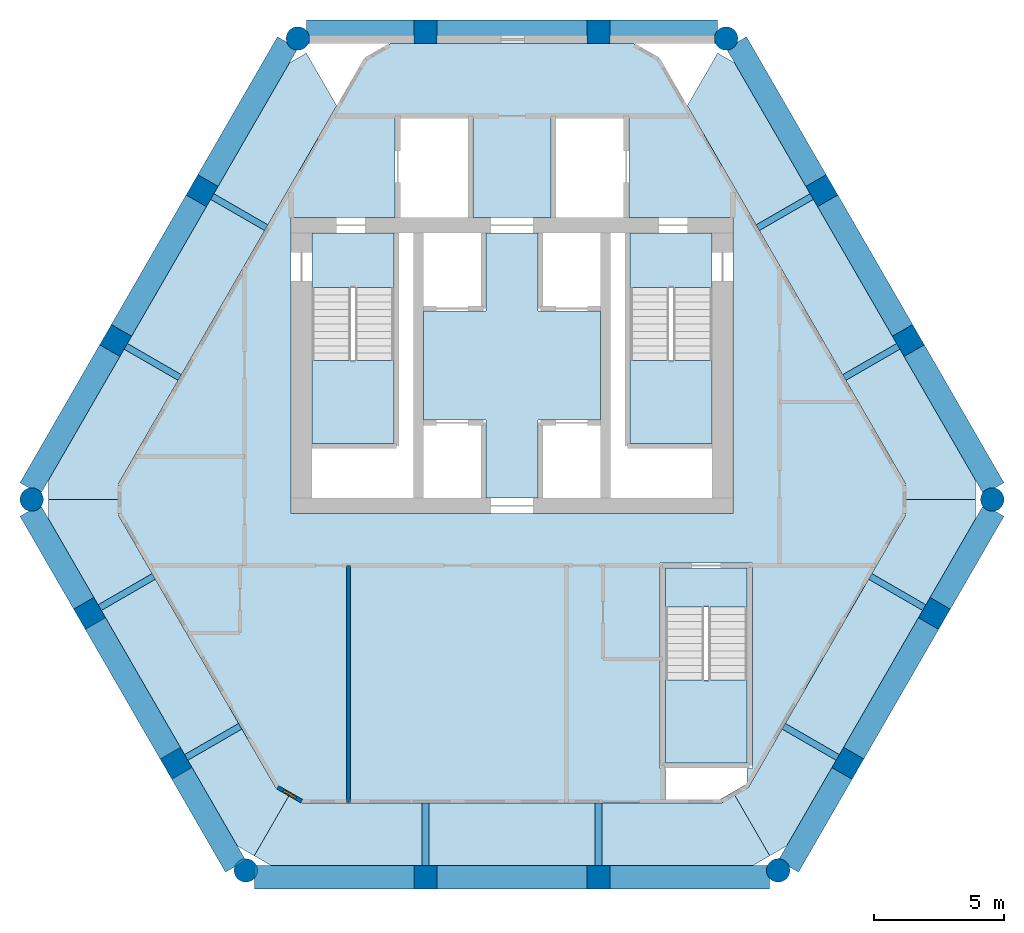
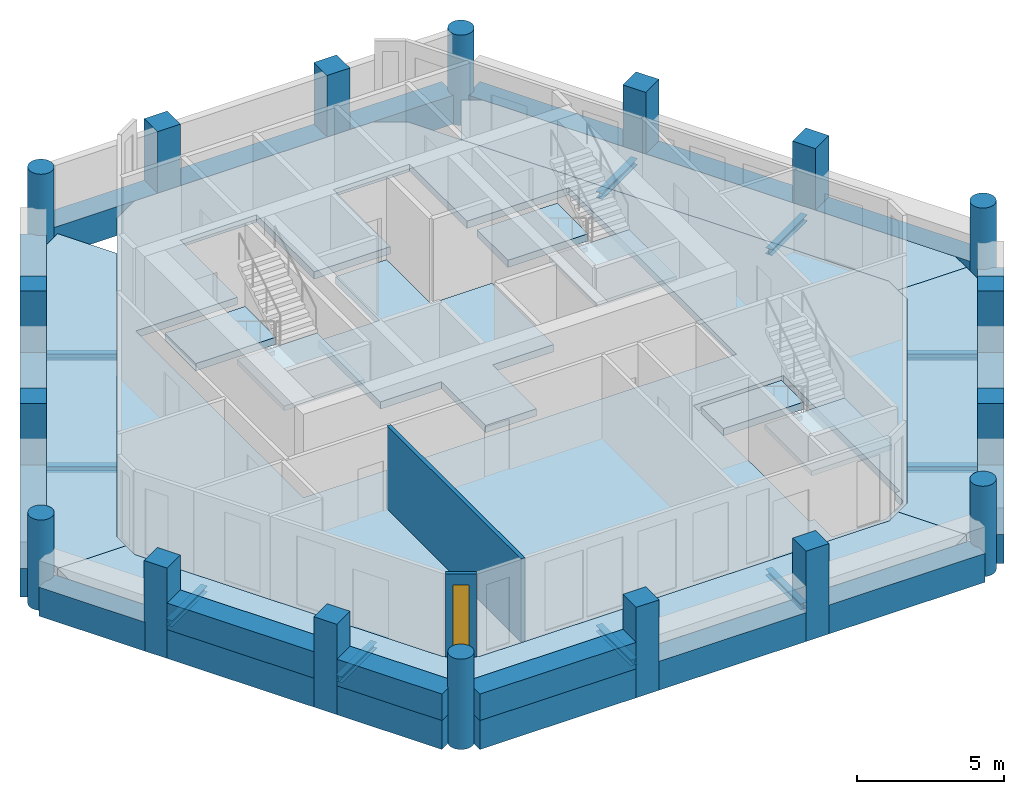
# One storey, part 1 of 6: 28 beams, 18 columns, 13 slabs, 5 walls, 1 window, 1 opening, 3 elements without a shape of their own.
"""IFC4 building model written with IfcOpenShell, lengths in metres."""

import ifcopenshell
import ifcopenshell.guid

model = None  # the IFC model being written
_history = None  # IfcOwnerHistory: only IFC2X3 demands one
_inside = {}  # id of a spatial element -> (the spatial element, [elements in it])
_under = {}  # id of a project, library or spatial element -> (it, [spatial elements below it])
_declared = {}  # id of a project -> (the project, [libraries it declares])
_typed = {}  # id of a type object -> (the type object, [elements of that type])
_made_of = {}  # id of a material, layer set ... -> (it, [elements and type objects made of it])


def new_model(schema):
    """Start an empty IFC model of exactly this schema.

    Asked for "IFC4X3", IfcOpenShell would pick the latest addendum, in which some entities
    have other attributes; the version numbers below select the first issue.
    IFC2X3 requires an IfcOwnerHistory on every rooted entity: one is made here for all.
    """
    global model, _history
    if schema == "IFC4X3":
        model = ifcopenshell.file(schema_version=(4, 3, 0, 0))
    else:
        model = ifcopenshell.file(schema=schema)
    _inside.clear()
    _under.clear()
    _declared.clear()
    _typed.clear()
    _made_of.clear()
    _history = None
    if model.schema == "IFC2X3":
        org = make("IfcOrganization", Name="unknown")
        user = make(
            "IfcPersonAndOrganization",
            ThePerson=make("IfcPerson", FamilyName="unknown"),
            TheOrganization=org,
        )
        app = make(
            "IfcApplication",
            ApplicationDeveloper=org,
            Version="unknown",
            ApplicationFullName="unknown",
            ApplicationIdentifier="unknown",
        )
        _history = make(
            "IfcOwnerHistory",
            OwningUser=user,
            OwningApplication=app,
            ChangeAction="ADDED",
            CreationDate=0,
        )
    return model


def make(cls, **values):
    """One entity of the class cls with the attributes given. An attribute that is None is left unset."""
    return model.create_entity(
        cls, **{name: value for name, value in values.items() if value is not None}
    )


def rooted(cls, **values):
    """An entity with a GlobalId (a new one), such as an element, a storey or a relation."""
    return make(cls, GlobalId=ifcopenshell.guid.new(), OwnerHistory=_history, **values)


def si_unit(unit_type, name, prefix=None):
    """IfcSIUnit, for example si_unit("LENGTHUNIT", "METRE", prefix="MILLI")."""
    return make("IfcSIUnit", UnitType=unit_type, Prefix=prefix, Name=name)


def assignment(units):
    """IfcUnitAssignment: the units of a project."""
    return None if units is None else make("IfcUnitAssignment", Units=units)


def point(xyz):
    """IfcCartesianPoint."""
    return None if xyz is None else make("IfcCartesianPoint", Coordinates=xyz)


def direction(xyz):
    """IfcDirection."""
    return None if xyz is None else make("IfcDirection", DirectionRatios=xyz)


def frame(location, z_axis=None, x_axis=None):
    """IfcAxis2Placement3D, a coordinate frame: its origin and axes. An axis left out is left unset."""
    return make(
        "IfcAxis2Placement3D",
        Location=point(location),
        Axis=direction(z_axis),
        RefDirection=direction(x_axis),
    )


def frame_2d(location, x_axis=None):
    """IfcAxis2Placement2D, a coordinate frame in the plane: its origin and x axis."""
    return make(
        "IfcAxis2Placement2D", Location=point(location), RefDirection=direction(x_axis)
    )


def origin():
    """The frame at (0, 0, 0) with its axes left unset."""
    return frame((0.0, 0.0, 0.0))


def origin_2d():
    """The frame at (0, 0) in the plane with its x axis left unset."""
    return frame_2d((0.0, 0.0))


def place(relative_to, where):
    """IfcLocalPlacement: puts the frame where relative to a parent placement (None: the world)."""
    return make(
        "IfcLocalPlacement", PlacementRelTo=relative_to, RelativePlacement=where
    )


def context(
    kind, dimensions, precision=None, world=None, true_north=None, identifier=None
):
    """IfcGeometricRepresentationContext, for example the 3D "Model" context."""
    return make(
        "IfcGeometricRepresentationContext",
        ContextIdentifier=identifier,
        ContextType=kind,
        CoordinateSpaceDimension=dimensions,
        Precision=precision,
        WorldCoordinateSystem=world,
        TrueNorth=true_north,
    )


def subcontext(parent, identifier, kind, view, scale=None):
    """IfcGeometricRepresentationSubContext, for example "Body" below "Model"."""
    return make(
        "IfcGeometricRepresentationSubContext",
        ContextIdentifier=identifier,
        ContextType=kind,
        ParentContext=parent,
        TargetScale=scale,
        TargetView=view,
    )


def project(units=None, contexts=None):
    """IfcProject with its units and contexts."""
    return rooted(
        "IfcProject",
        Name="project",
        RepresentationContexts=contexts,
        UnitsInContext=assignment(units),
    )


def spatial(cls, under=None, at=None, **own):
    """A site, building, storey or space (cls), placed at a placement, below another one or the project."""
    s = rooted(cls, ObjectPlacement=at, **own)
    if under is not None:
        _under.setdefault(under.id(), (under, []))[1].append(s)
    return s


def polyline(points):
    """IfcPolyline through the points."""
    return make("IfcPolyline", Points=[point(p) for p in points])


def profile(cls, at=None, kind="AREA", **sizes):
    """A parametric profile (cls). Its sizes go by their IFC names, for example OverallWidth=200.0."""
    return make(cls, ProfileType=kind, Position=at, **sizes)


def rectangle(**sizes):
    """IfcRectangleProfileDef."""
    return profile("IfcRectangleProfileDef", **sizes)


def circle(**sizes):
    """IfcCircleProfileDef."""
    return profile("IfcCircleProfileDef", **sizes)


def i_section(**sizes):
    """IfcIShapeProfileDef."""
    return profile("IfcIShapeProfileDef", **sizes)


def outline(outer, holes=None, kind="AREA"):
    """IfcArbitraryClosedProfileDef: a profile drawn as a closed curve; with holes, ...WithVoids."""
    if holes is None:
        return make("IfcArbitraryClosedProfileDef", ProfileType=kind, OuterCurve=outer)
    return make(
        "IfcArbitraryProfileDefWithVoids",
        ProfileType=kind,
        OuterCurve=outer,
        InnerCurves=holes,
    )


def extrude(swept, where, along, depth):
    """IfcExtrudedAreaSolid: the profile swept, set in the frame where, extruded along a direction by depth."""
    return make(
        "IfcExtrudedAreaSolid",
        SweptArea=swept,
        Position=where,
        ExtrudedDirection=direction(along),
        Depth=depth,
    )


def shape(context_of_items, identifier, shape_type, items):
    """IfcShapeRepresentation: the items that make up one representation, for example the "Body"."""
    return make(
        "IfcShapeRepresentation",
        ContextOfItems=context_of_items,
        RepresentationIdentifier=identifier,
        RepresentationType=shape_type,
        Items=items,
    )


def material(Name=None, Category=None):
    """IfcMaterial."""
    return make("IfcMaterial", Name=Name, Category=Category)


def layer(
    of_material, thickness, ventilated=None, Name=None, Category=None, Priority=None
):
    """IfcMaterialLayer: one layer of a wall or slab, of a material (None: an air gap)."""
    return make(
        "IfcMaterialLayer",
        Material=of_material,
        LayerThickness=thickness,
        IsVentilated=ventilated,
        Name=Name,
        Category=Category,
        Priority=Priority,
    )


def layer_set(layers, Name=None):
    """IfcMaterialLayerSet."""
    return make("IfcMaterialLayerSet", MaterialLayers=layers, LayerSetName=Name)


def material_profile(
    of_material, cross_section, Name=None, Category=None, Priority=None
):
    """IfcMaterialProfile: a cross section and its material."""
    return make(
        "IfcMaterialProfile",
        Name=Name,
        Material=of_material,
        Profile=cross_section,
        Priority=Priority,
        Category=Category,
    )


def profile_set(profiles, Name=None, composite=None):
    """IfcMaterialProfileSet."""
    return make(
        "IfcMaterialProfileSet",
        Name=Name,
        MaterialProfiles=profiles,
        CompositeProfile=composite,
    )


def made_of(thing, what):
    """Note that an element or type object is made of a material, layer set ...; save() writes the relation."""
    if what is not None:
        _made_of.setdefault(what.id(), (what, []))[1].append(thing)
    return thing


def type_object(cls, material=None, **own):
    """A type object (cls), such as IfcWallType, which elements share."""
    return made_of(rooted(cls, **own), material)


def element(
    cls,
    number,
    at=None,
    inside=None,
    cuts=None,
    type_object=None,
    material=None,
    context=None,
    identifier="Body",
    shape_type=None,
    held_by="IfcProductDefinitionShape",
    body=None,
    shapes=None,
    **own,
):
    """One element of the class cls, such as IfcWall. Its Tag is "e" and its number.

    at: its placement. inside: the storey or other place that contains it. cuts: it is an
    opening in that element (IfcRelVoidsElement). A single representation is given by context,
    identifier, shape_type and body (its items); several are given by shapes. held_by: the class
    of the entity that holds the representations. save() writes the other relations.
    """
    e = rooted(cls, Tag="e%d" % number, ObjectPlacement=at, **own)
    if body is not None:
        shapes = [shape(context, identifier, shape_type, body)]
    if shapes is not None:
        e.Representation = make(held_by, Representations=shapes)
    if inside is not None:
        _inside.setdefault(inside.id(), (inside, []))[1].append(e)
    if cuts is not None:
        rooted(
            "IfcRelVoidsElement", RelatingBuildingElement=cuts, RelatedOpeningElement=e
        )
    if type_object is not None:
        _typed.setdefault(type_object.id(), (type_object, []))[1].append(e)
    return made_of(e, material)


def fill(opening, filler):
    """IfcRelFillsElement: the door or window that sits in an opening."""
    return rooted(
        "IfcRelFillsElement",
        RelatingOpeningElement=opening,
        RelatedBuildingElement=filler,
    )


def aggregate(whole, parts):
    """IfcRelAggregates: a whole, such as a stair, and the parts it consists of."""
    return rooted("IfcRelAggregates", RelatingObject=whole, RelatedObjects=parts)


def save(model, path):
    """Write the relations noted so far, then the file.

    IfcRelAggregates (storeys below a building ...), IfcRelContainedInSpatialStructure (elements
    in a storey), IfcRelDefinesByType, IfcRelAssociatesMaterial and IfcRelDeclares: one each for
    every whole, place, type object, material and project.
    """
    for whole, parts in _under.values():
        aggregate(whole, parts)
    for where, things in _inside.values():
        rooted(
            "IfcRelContainedInSpatialStructure",
            RelatedElements=things,
            RelatingStructure=where,
        )
    for kind, things in _typed.values():
        rooted("IfcRelDefinesByType", RelatedObjects=things, RelatingType=kind)
    for what, things in _made_of.values():
        rooted("IfcRelAssociatesMaterial", RelatedObjects=things, RelatingMaterial=what)
    for by, libraries in _declared.values():
        rooted("IfcRelDeclares", RelatingContext=by, RelatedDefinitions=libraries)
    model.write(path)


model = new_model("IFC4")

# Units and contexts
model_context = context("Model", 3, precision=1e-05, world=origin(), true_north=direction((0.0, 1.0)))
body_context = subcontext(model_context, "Body", "Model", "MODEL_VIEW")
ifc_project = project(units=[si_unit("LENGTHUNIT", "METRE"), si_unit("AREAUNIT", "SQUARE_METRE"), si_unit("VOLUMEUNIT", "CUBIC_METRE"), si_unit("PLANEANGLEUNIT", "RADIAN"), si_unit("MASSUNIT", "GRAM", prefix="KILO")], contexts=[model_context])

# Site, building, storey
site_placement = place(None, origin())
site = spatial("IfcSite", under=ifc_project, at=site_placement, CompositionType="ELEMENT")
building_placement = place(site_placement, origin())
building = spatial("IfcBuilding", under=site, at=building_placement, Name="Ostrander Bayou Hotel Tower", CompositionType="ELEMENT")
storey_placement = place(building_placement, frame((0.0, 0.0, 271.25)))
storey = spatial("IfcBuildingStorey", under=building, at=storey_placement, Name="L67", CompositionType="ELEMENT", Elevation=271.25)

# Columns
ifc_material_1 = material(Name="Concrete f'c 60 MPa", Category="concrete")
ifc_material_profile_1 = material_profile(ifc_material_1, circle(Radius=0.449951171875, at=origin_2d()))
ifc_profile_set_1 = profile_set([ifc_material_profile_1], Name="Concrete f'c 60 MPa")
column_type_1 = type_object("IfcColumnType", Name="C7 round column 900 mm f'c 60 MPa", PredefinedType="COLUMN", material=ifc_profile_set_1)
for number, where, z_axis, x_axis, name in (
    (1, (-8.2421875, 16.588623046875, -1.199951171875), (0.0, 0.0, 1.0), (1.0, 0.0, 0.0), "C7 L67 K0"),
    (2, (-18.4873046875, -1.156494140625, -1.199951171875), (0.0, 0.0, 1.0), (1.0, 0.0, 0.0), "C7 L67 K1"),
    (3, (-10.2451171875, -15.432373046875, -1.199951171875), (0.0, 0.0, 1.0), (1.0, 0.0, 0.0), "C7 L67 K2"),
    (4, (10.2451171875, -15.432373046875, -1.199951171875), (0.0, 0.0, 1.0), (1.0, 0.0, 0.0), "C7 L67 K3"),
    (5, (18.4873046875, -1.156494140625, -1.199951171875), (0.0, 0.0, 1.0), (1.0, 0.0, 0.0), "C7 L67 K4"),
    (6, (8.2421875, 16.588623046875, -1.199951171875), (0.0, 0.0, 1.0), (1.0, 0.0, 0.0), "C7 L67 K5"),
):
    element("IfcColumn", number, at=place(storey_placement, frame(where, z_axis=z_axis, x_axis=x_axis)), inside=storey, type_object=column_type_1, Name=name, PredefinedType="COLUMN", context=body_context, shape_type="SweptSolid", body=[
        extrude(circle(Radius=0.449951171875, at=origin_2d()), origin(), (0.0, 0.0, 1.0), 3.75),
    ])
ifc_material_2 = material(Name="Concrete f'c 60 MPa", Category="concrete")
ifc_material_profile_2 = material_profile(ifc_material_2, rectangle(XDim=0.89990234375, YDim=0.89990234375, at=origin_2d()))
ifc_profile_set_2 = profile_set([ifc_material_profile_2], Name="Concrete f'c 60 MPa")
column_type_2 = type_object("IfcColumnType", Name="C8 square column 900 x 900 mm f'c 60 MPa", PredefinedType="COLUMN", material=ifc_profile_set_2)
for number, where, z_axis, x_axis, name in (
    (7, (3.329345703125, 16.85009765625, -1.199951171875), (0.0, 0.0, 1.0), (1.0, 0.0, 0.0), "C8 L67 N1"),
    (8, (-3.329345703125, 16.85009765625, -1.199951171875), (0.0, 0.0, 1.0), (1.0, 0.0, 0.0), "C8 L67 N2"),
    (9, (-11.92626953125, 10.72998046875, -1.199951171875), (0.0, 0.0, 1.0), (0.5, 0.866025403784, 0.0), "C8 L67 NW1"),
    (10, (-15.255615234375, 4.96337890625, -1.199951171875), (0.0, 0.0, 1.0), (0.5, 0.866025403784, 0.0), "C8 L67 NW2"),
    (11, (-16.257080078125, -5.541748046875, -1.199951171875), (0.0, 0.0, 1.0), (-0.5, 0.866025403784, 0.0), "C8 L67 SW1"),
    (12, (-12.927734375, -11.308349609375, -1.199951171875), (0.0, 0.0, 1.0), (-0.5, 0.866025403784, 0.0), "C8 L67 SW2"),
    (13, (-3.329345703125, -15.693603515625, -1.199951171875), (0.0, 0.0, 1.0), (-1.0, 0.0, 0.0), "C8 L67 S1"),
    (14, (3.329345703125, -15.693603515625, -1.199951171875), (0.0, 0.0, 1.0), (-1.0, 0.0, 0.0), "C8 L67 S2"),
    (15, (12.927734375, -11.308349609375, -1.199951171875), (0.0, 0.0, 1.0), (-0.5, -0.866025403784, 0.0), "C8 L67 SE1"),
    (16, (16.257080078125, -5.541748046875, -1.199951171875), (0.0, 0.0, 1.0), (-0.5, -0.866025403784, 0.0), "C8 L67 SE2"),
    (17, (15.255615234375, 4.96337890625, -1.199951171875), (0.0, 0.0, 1.0), (0.5, -0.866025403784, 0.0), "C8 L67 NE1"),
    (18, (11.92626953125, 10.72998046875, -1.199951171875), (0.0, 0.0, 1.0), (0.5, -0.866025403784, 0.0), "C8 L67 NE2"),
):
    element("IfcColumn", number, at=place(storey_placement, frame(where, z_axis=z_axis, x_axis=x_axis)), inside=storey, type_object=column_type_2, Name=name, PredefinedType="COLUMN", context=body_context, shape_type="SweptSolid", body=[
        extrude(rectangle(XDim=0.89990234375, YDim=0.89990234375, at=origin_2d()), origin(), (0.0, 0.0, 1.0), 3.75),
    ])

# Beams
ifc_material_3 = material(Name="Steel ASTM A992", Category="steel")
ifc_material_profile_3 = material_profile(ifc_material_3, i_section(OverallWidth=0.25390625, OverallDepth=0.25341796875, WebThickness=0.008544921875, FlangeThickness=0.01416015625, at=origin_2d()))
ifc_profile_set_3 = profile_set([ifc_material_profile_3], Name="Steel ASTM A992")
beam_type_1 = type_object("IfcBeamType", Name="LB2 loggia bracket W10x49", PredefinedType="BEAM", material=ifc_profile_set_3)
beam_1_placement = place(storey_placement, frame((-11.53662109375, 10.505126953125, -0.4267578125), z_axis=(0.866050077142, -0.499957262057, 0.0), x_axis=(0.499957262057, 0.866050077142, 0.0)))
element("IfcBeam", 19, at=beam_1_placement, inside=storey, type_object=beam_type_1, Name="LB2 L67 NW1", PredefinedType="BEAM", context=body_context, shape_type="SweptSolid", body=[
    extrude(i_section(OverallWidth=0.25390625, OverallDepth=0.25341796875, WebThickness=0.008544921875, FlangeThickness=0.01416015625, at=origin_2d()), origin(), (0.0, 0.0, 1.0), 2.400146484375),
])
for number, where, z_axis, x_axis, name in (
    (20, (-14.865966796875, 4.73828125, -0.4267578125), (0.866024647952, -0.500001309137, 0.0), (0.500001309137, 0.866024647952, 0.0), "LB2 L67 NW2"),
    (21, (-15.867431640625, -5.316650390625, -0.4267578125), (0.866024647952, 0.500001309137, 0.0), (-0.500001309137, 0.866024647952, 0.0), "LB2 L67 SW1"),
    (22, (-12.5380859375, -11.083251953125, -0.4267578125), (0.866024647952, 0.500001309137, 0.0), (-0.500001309137, 0.866024647952, 0.0), "LB2 L67 SW2"),
    (23, (-3.329345703125, -15.243408203125, -0.4267578125), (0.0, 1.0, 0.0), (-1.0, 0.0, 0.0), "LB2 L67 S1"),
    (24, (3.329345703125, -15.243408203125, -0.4267578125), (0.0, 1.0, 0.0), (-1.0, 0.0, 0.0), "LB2 L67 S2"),
    (25, (12.5380859375, -11.083251953125, -0.4267578125), (-0.866024647952, 0.500001309137, 0.0), (-0.500001309137, -0.866024647952, 0.0), "LB2 L67 SE1"),
    (26, (15.867431640625, -5.316650390625, -0.4267578125), (-0.866024647952, 0.500001309137, 0.0), (-0.500001309137, -0.866024647952, 0.0), "LB2 L67 SE2"),
    (27, (14.865966796875, 4.73828125, -0.4267578125), (-0.866024647952, -0.500001309137, 0.0), (0.500001309137, -0.866024647952, 0.0), "LB2 L67 NE1"),
):
    element("IfcBeam", number, at=place(storey_placement, frame(where, z_axis=z_axis, x_axis=x_axis)), inside=storey, type_object=beam_type_1, Name=name, PredefinedType="BEAM", context=body_context, shape_type="SweptSolid", body=[
        extrude(i_section(OverallWidth=0.25390625, OverallDepth=0.25341796875, WebThickness=0.008544921875, FlangeThickness=0.01416015625, at=origin_2d()), origin(), (0.0, 0.0, 1.0), 2.39990234375),
    ])
beam_2_placement = place(storey_placement, frame((11.53662109375, 10.505126953125, -0.4267578125), z_axis=(-0.866050077142, -0.499957262057, 0.0), x_axis=(0.499957262057, -0.866050077142, 0.0)))
element("IfcBeam", 28, at=beam_2_placement, inside=storey, type_object=beam_type_1, Name="LB2 L67 NE2", PredefinedType="BEAM", context=body_context, shape_type="SweptSolid", body=[
    extrude(i_section(OverallWidth=0.25390625, OverallDepth=0.25341796875, WebThickness=0.008544921875, FlangeThickness=0.01416015625, at=origin_2d()), origin(), (0.0, 0.0, 1.0), 2.400146484375),
])
ifc_material_4 = material(Name="Concrete f'c 60 MPa", Category="concrete")
ifc_material_profile_4 = material_profile(ifc_material_4, rectangle(XDim=0.89990234375, YDim=1.199951171875, at=origin_2d()))
ifc_profile_set_4 = profile_set([ifc_material_profile_4], Name="Concrete f'c 60 MPa")
beam_type_2 = type_object("IfcBeamType", Name="SP4 spandrel beam 900 x 1200 mm f'c 60 MPa", PredefinedType="SPANDREL", material=ifc_profile_set_4)
beam_3_placement = place(storey_placement, frame((7.90576171875, 16.85009765625, -0.60009765625), z_axis=(-1.0, 0.0, 0.0), x_axis=(0.0, -1.0, 0.0)))
element("IfcBeam", 29, at=beam_3_placement, inside=storey, type_object=beam_type_2, Name="SP4 L67 N-1", PredefinedType="SPANDREL", context=body_context, shape_type="SweptSolid", body=[
    extrude(rectangle(XDim=0.89990234375, YDim=1.199951171875, at=origin_2d()), origin(), (0.0, 0.0, 1.0), 4.15625),
])
beam_4_placement = place(storey_placement, frame((2.909423828125, 16.85009765625, -0.60009765625), z_axis=(-1.0, 0.0, 0.0), x_axis=(0.0, -1.0, 0.0)))
element("IfcBeam", 30, at=beam_4_placement, inside=storey, type_object=beam_type_2, Name="SP4 L67 N-2", PredefinedType="SPANDREL", context=body_context, shape_type="SweptSolid", body=[
    extrude(rectangle(XDim=0.89990234375, YDim=1.199951171875, at=origin_2d()), origin(), (0.0, 0.0, 1.0), 5.81884765625),
])
beam_5_placement = place(storey_placement, frame((-3.74951171875, 16.85009765625, -0.60009765625), z_axis=(-1.0, 0.0, 0.0), x_axis=(0.0, -1.0, 0.0)))
element("IfcBeam", 31, at=beam_5_placement, inside=storey, type_object=beam_type_2, Name="SP4 L67 N-3", PredefinedType="SPANDREL", context=body_context, shape_type="SweptSolid", body=[
    extrude(rectangle(XDim=0.89990234375, YDim=1.199951171875, at=origin_2d()), origin(), (0.0, 0.0, 1.0), 4.15625),
])
beam_6_placement = place(storey_placement, frame((-8.63671875, 16.427978515625, -0.60009765625), z_axis=(-0.499984362083, -0.866034432152, 0.0), x_axis=(0.866034432152, -0.499984362083, 0.0)))
element("IfcBeam", 32, at=beam_6_placement, inside=storey, type_object=beam_type_2, Name="SP4 L67 NW-1", PredefinedType="SPANDREL", context=body_context, shape_type="SweptSolid", body=[
    extrude(rectangle(XDim=0.89990234375, YDim=1.199951171875, at=origin_2d()), origin(), (0.0, 0.0, 1.0), 6.159423828125),
])
beam_7_placement = place(storey_placement, frame((-12.13623046875, 10.366455078125, -0.60009765625), z_axis=(-0.499997265274, -0.866026982673, 0.0), x_axis=(0.866026982673, -0.499997265274, 0.0)))
element("IfcBeam", 33, at=beam_7_placement, inside=storey, type_object=beam_type_2, Name="SP4 L67 NW-2", PredefinedType="SPANDREL", context=body_context, shape_type="SweptSolid", body=[
    extrude(rectangle(XDim=0.89990234375, YDim=1.199951171875, at=origin_2d()), origin(), (0.0, 0.0, 1.0), 5.81884765625),
])
beam_8_placement = place(storey_placement, frame((-15.4658203125, 4.599609375, -0.60009765625), z_axis=(-0.499984362083, -0.866034432152, 0.0), x_axis=(0.866034432152, -0.499984362083, 0.0)))
element("IfcBeam", 34, at=beam_8_placement, inside=storey, type_object=beam_type_2, Name="SP4 L67 NW-3", PredefinedType="SPANDREL", context=body_context, shape_type="SweptSolid", body=[
    extrude(rectangle(XDim=0.89990234375, YDim=1.199951171875, at=origin_2d()), origin(), (0.0, 0.0, 1.0), 6.159423828125),
])
beam_9_placement = place(storey_placement, frame((-18.54541015625, -1.578369140625, -0.60009765625), z_axis=(0.499980071345, -0.866036909293, 0.0), x_axis=(0.866036909293, 0.499980071345, 0.0)))
element("IfcBeam", 35, at=beam_9_placement, inside=storey, type_object=beam_type_2, Name="SP4 L67 SW-1", PredefinedType="SPANDREL", context=body_context, shape_type="SweptSolid", body=[
    extrude(rectangle(XDim=0.89990234375, YDim=1.199951171875, at=origin_2d()), origin(), (0.0, 0.0, 1.0), 4.156494140625),
])
beam_10_placement = place(storey_placement, frame((-16.047119140625, -5.905517578125, -0.60009765625), z_axis=(0.500015433515, -0.866016493057, 0.0), x_axis=(0.866016493057, 0.500015433515, 0.0)))
element("IfcBeam", 36, at=beam_10_placement, inside=storey, type_object=beam_type_2, Name="SP4 L67 SW-2", PredefinedType="SPANDREL", context=body_context, shape_type="SweptSolid", body=[
    extrude(rectangle(XDim=0.89990234375, YDim=1.199951171875, at=origin_2d()), origin(), (0.0, 0.0, 1.0), 5.818603515625),
])
beam_11_placement = place(storey_placement, frame((-12.7177734375, -11.672119140625, -0.60009765625), z_axis=(0.50000550616, -0.866022224778, 0.0), x_axis=(0.866022224778, 0.50000550616, 0.0)))
element("IfcBeam", 37, at=beam_11_placement, inside=storey, type_object=beam_type_2, Name="SP4 L67 SW-3", PredefinedType="SPANDREL", context=body_context, shape_type="SweptSolid", body=[
    extrude(rectangle(XDim=0.89990234375, YDim=1.199951171875, at=origin_2d()), origin(), (0.0, 0.0, 1.0), 4.15625),
])
beam_12_placement = place(storey_placement, frame((-9.90869140625, -15.693603515625, -0.60009765625), z_axis=(1.0, 0.0, 0.0), x_axis=(0.0, 1.0, 0.0)))
element("IfcBeam", 38, at=beam_12_placement, inside=storey, type_object=beam_type_2, Name="SP4 L67 S-1", PredefinedType="SPANDREL", context=body_context, shape_type="SweptSolid", body=[
    extrude(rectangle(XDim=0.89990234375, YDim=1.199951171875, at=origin_2d()), origin(), (0.0, 0.0, 1.0), 6.1591796875),
])
beam_13_placement = place(storey_placement, frame((-2.909423828125, -15.693603515625, -0.60009765625), z_axis=(1.0, 0.0, 0.0), x_axis=(0.0, 1.0, 0.0)))
element("IfcBeam", 39, at=beam_13_placement, inside=storey, type_object=beam_type_2, Name="SP4 L67 S-2", PredefinedType="SPANDREL", context=body_context, shape_type="SweptSolid", body=[
    extrude(rectangle(XDim=0.89990234375, YDim=1.199951171875, at=origin_2d()), origin(), (0.0, 0.0, 1.0), 5.81884765625),
])
beam_14_placement = place(storey_placement, frame((3.74951171875, -15.693603515625, -0.60009765625), z_axis=(1.0, 0.0, 0.0), x_axis=(0.0, 1.0, 0.0)))
element("IfcBeam", 40, at=beam_14_placement, inside=storey, type_object=beam_type_2, Name="SP4 L67 S-3", PredefinedType="SPANDREL", context=body_context, shape_type="SweptSolid", body=[
    extrude(rectangle(XDim=0.89990234375, YDim=1.199951171875, at=origin_2d()), origin(), (0.0, 0.0, 1.0), 6.1591796875),
])
beam_15_placement = place(storey_placement, frame((10.6396484375, -15.271484375, -0.60009765625), z_axis=(0.50000550616, 0.866022224778, 0.0), x_axis=(-0.866022224778, 0.50000550616, 0.0)))
element("IfcBeam", 41, at=beam_15_placement, inside=storey, type_object=beam_type_2, Name="SP4 L67 SE-1", PredefinedType="SPANDREL", context=body_context, shape_type="SweptSolid", body=[
    extrude(rectangle(XDim=0.89990234375, YDim=1.199951171875, at=origin_2d()), origin(), (0.0, 0.0, 1.0), 4.15625),
])
beam_16_placement = place(storey_placement, frame((13.1376953125, -10.944580078125, -0.60009765625), z_axis=(0.500015433515, 0.866016493057, 0.0), x_axis=(-0.866016493057, 0.500015433515, 0.0)))
element("IfcBeam", 42, at=beam_16_placement, inside=storey, type_object=beam_type_2, Name="SP4 L67 SE-2", PredefinedType="SPANDREL", context=body_context, shape_type="SweptSolid", body=[
    extrude(rectangle(XDim=0.89990234375, YDim=1.199951171875, at=origin_2d()), origin(), (0.0, 0.0, 1.0), 5.818603515625),
])
beam_17_placement = place(storey_placement, frame((16.46728515625, -5.177978515625, -0.60009765625), z_axis=(0.499980071345, 0.866036909293, 0.0), x_axis=(-0.866036909293, 0.499980071345, 0.0)))
element("IfcBeam", 43, at=beam_17_placement, inside=storey, type_object=beam_type_2, Name="SP4 L67 SE-3", PredefinedType="SPANDREL", context=body_context, shape_type="SweptSolid", body=[
    extrude(rectangle(XDim=0.89990234375, YDim=1.199951171875, at=origin_2d()), origin(), (0.0, 0.0, 1.0), 4.156494140625),
])
beam_18_placement = place(storey_placement, frame((18.54541015625, -0.734619140625, -0.60009765625), z_axis=(-0.499984362083, 0.866034432152, 0.0), x_axis=(-0.866034432152, -0.499984362083, 0.0)))
element("IfcBeam", 44, at=beam_18_placement, inside=storey, type_object=beam_type_2, Name="SP4 L67 NE-1", PredefinedType="SPANDREL", context=body_context, shape_type="SweptSolid", body=[
    extrude(rectangle(XDim=0.89990234375, YDim=1.199951171875, at=origin_2d()), origin(), (0.0, 0.0, 1.0), 6.159423828125),
])
beam_19_placement = place(storey_placement, frame((15.045654296875, 5.3271484375, -0.60009765625), z_axis=(-0.499997265274, 0.866026982673, 0.0), x_axis=(-0.866026982673, -0.499997265274, 0.0)))
element("IfcBeam", 45, at=beam_19_placement, inside=storey, type_object=beam_type_2, Name="SP4 L67 NE-2", PredefinedType="SPANDREL", context=body_context, shape_type="SweptSolid", body=[
    extrude(rectangle(XDim=0.89990234375, YDim=1.199951171875, at=origin_2d()), origin(), (0.0, 0.0, 1.0), 5.81884765625),
])
beam_20_placement = place(storey_placement, frame((11.71630859375, 11.09375, -0.60009765625), z_axis=(-0.499984362083, 0.866034432152, 0.0), x_axis=(-0.866034432152, -0.499984362083, 0.0)))
element("IfcBeam", 46, at=beam_20_placement, inside=storey, type_object=beam_type_2, Name="SP4 L67 NE-3", PredefinedType="SPANDREL", context=body_context, shape_type="SweptSolid", body=[
    extrude(rectangle(XDim=0.89990234375, YDim=1.199951171875, at=origin_2d()), origin(), (0.0, 0.0, 1.0), 6.159423828125),
])

# Slabs
ifc_material_5 = material(Name="Concrete f'c 40 MPa", Category="concrete")
ifc_layer_1 = layer(ifc_material_5, 0.300048828125)
ifc_layer_set_1 = layer_set([ifc_layer_1], Name="SL1 floor slab 300 mm f'c 40 MPa")
slab_type_1 = type_object("IfcSlabType", Name="SL1 floor slab 300 mm f'c 40 MPa", PredefinedType="FLOOR", material=ifc_layer_set_1)
slab_1_placement = place(storey_placement, frame((0.0, 0.0, -0.300048828125)))
element("IfcSlab", 47, at=slab_1_placement, inside=storey, type_object=slab_type_1, Name="SL1 L67 1", PredefinedType="FLOOR", context=body_context, shape_type="SweptSolid", body=[
    extrude(outline(polyline([(-2.909423828125, 16.39990234375), (2.909423828125, 16.39990234375), (3.74951171875, 16.39990234375), (4.669189453125, 16.39990234375), (5.708251953125, 15.800048828125), (15.151611328125, -0.556396484375), (15.151611328125, -1.756591796875), (9.096923828125, -12.243408203125), (8.057861328125, -12.843505859375), (-8.057861328125, -12.843505859375), (-9.096923828125, -12.243408203125), (-15.151611328125, -1.756591796875), (-15.151611328125, -0.556396484375), (-5.708251953125, 15.800048828125), (-4.669189453125, 16.39990234375), (-3.74951171875, 16.39990234375), (-2.909423828125, 16.39990234375)]), holes=[polyline([(9.050048828125, -12.02490234375), (9.050048828125, -11.5), (9.25, -11.5), (9.25, -3.60009765625), (5.699951171875, -3.60009765625), (5.699951171875, -11.5), (5.89990234375, -11.5), (5.89990234375, -12.693603515625), (8.017578125, -12.693603515625), (8.9873046875, -12.1337890625), (9.050048828125, -12.02490234375)]), polyline([(-8.5, -1.699951171875), (8.5, -1.699951171875), (8.5, 9.699951171875), (4.5, 9.699951171875), (4.5, 13.60009765625), (1.5, 13.60009765625), (1.5, 9.699951171875), (-1.5, 9.699951171875), (-1.5, 13.60009765625), (-4.5, 13.60009765625), (-4.5, 9.699951171875), (-8.5, 9.699951171875), (-8.5, -1.699951171875)])]), origin(), (0.0, 0.0, 1.0), 0.300048828125),
])
slab_2_placement = place(storey_placement, frame((0.0, 0.0, -0.300048828125)))
element("IfcSlab", 48, at=slab_2_placement, inside=storey, type_object=slab_type_1, Name="cslab:L67:001", PredefinedType="FLOOR", context=body_context, shape_type="SweptSolid", body=[
    extrude(outline(polyline([(-3.39990234375, 6.10009765625), (-1.0, 6.10009765625), (-1.0, 9.10009765625), (1.0, 9.10009765625), (1.0, 6.10009765625), (3.39990234375, 6.10009765625), (3.39990234375, 1.89990234375), (1.0, 1.89990234375), (1.0, -1.10009765625), (-1.0, -1.10009765625), (-1.0, 1.89990234375), (-3.39990234375, 1.89990234375), (-3.39990234375, 6.10009765625)])), origin(), (0.0, 0.0, 1.0), 0.300048828125),
])
slab_3_placement = place(storey_placement, frame((0.0, 0.0, -0.300048828125)))
element("IfcSlab", 49, at=slab_3_placement, inside=storey, type_object=slab_type_1, Name="cslab:L67:002", PredefinedType="FLOOR", context=body_context, shape_type="SweptSolid", body=[
    extrude(outline(polyline([(-4.550048828125, 7.0), (-4.550048828125, 9.10009765625), (-7.699951171875, 9.10009765625), (-7.699951171875, 7.0), (-4.550048828125, 7.0)])), origin(), (0.0, 0.0, 1.0), 0.300048828125),
])
slab_4_placement = place(storey_placement, frame((0.0, 0.0, -0.300048828125)))
element("IfcSlab", 50, at=slab_4_placement, inside=storey, type_object=slab_type_1, Name="cslab:L67:003", PredefinedType="FLOOR", context=body_context, shape_type="SweptSolid", body=[
    extrude(outline(polyline([(7.699951171875, 7.0), (7.699951171875, 9.10009765625), (4.550048828125, 9.10009765625), (4.550048828125, 7.0), (7.699951171875, 7.0)])), origin(), (0.0, 0.0, 1.0), 0.300048828125),
])
slab_5_placement = place(storey_placement, frame((0.0, 0.0, -0.300048828125)))
element("IfcSlab", 51, at=slab_5_placement, inside=storey, type_object=slab_type_1, Name="cslab:L67:004", PredefinedType="FLOOR", context=body_context, shape_type="SweptSolid", body=[
    extrude(outline(polyline([(9.050048828125, -5.300048828125), (9.050048828125, -3.800048828125), (5.89990234375, -3.800048828125), (5.89990234375, -5.300048828125), (9.050048828125, -5.300048828125)])), origin(), (0.0, 0.0, 1.0), 0.300048828125),
])
ifc_material_6 = material(Name="Concrete f'c 40 MPa", Category="concrete")
ifc_layer_2 = layer(ifc_material_6, 0.300048828125)
ifc_layer_set_2 = layer_set([ifc_layer_2], Name="SL4 loggia slab 300 mm f'c 40 MPa")
slab_type_2 = type_object("IfcSlabType", Name="SL4 loggia slab 300 mm f'c 40 MPa", PredefinedType="FLOOR", material=ifc_layer_set_2)
slab_6_placement = place(storey_placement, frame((0.0, 0.0, -0.300048828125)))
element("IfcSlab", 52, at=slab_6_placement, inside=storey, type_object=slab_type_2, Name="SL4 LOGGIA L67 NW 1", PredefinedType="FLOOR", context=body_context, shape_type="SweptSolid", body=[
    extrude(outline(polyline([(-17.83642578125, -1.156494140625), (-17.83642578125, -0.406494140625), (-10.33837890625, 12.58056640625), (-9.88671875, 13.36279296875), (-8.566162109375, 15.64990234375), (-7.916748046875, 16.02490234375), (-6.74755859375, 14.0), (-15.151611328125, -0.556396484375), (-15.151611328125, -1.156494140625), (-17.83642578125, -1.156494140625)])), origin(), (0.0, 0.0, 1.0), 0.300048828125),
])
slab_7_placement = place(storey_placement, frame((0.0, 0.0, -0.300048828125)))
element("IfcSlab", 53, at=slab_7_placement, inside=storey, type_object=slab_type_2, Name="SL4 LOGGIA L67 SW 1", PredefinedType="FLOOR", context=body_context, shape_type="SweptSolid", body=[
    extrude(outline(polyline([(-8.577392578125, -12.54345703125), (-9.919677734375, -14.868408203125), (-10.569091796875, -14.493408203125), (-12.328125, -11.447021484375), (-12.748046875, -10.719482421875), (-15.657470703125, -5.680419921875), (-16.077392578125, -4.952880859375), (-16.087646484375, -4.935302734375), (-17.235595703125, -2.947021484375), (-17.83642578125, -1.906494140625), (-17.83642578125, -1.156494140625), (-15.151611328125, -1.156494140625), (-15.151611328125, -1.756591796875), (-9.096923828125, -12.243408203125), (-8.577392578125, -12.54345703125)])), origin(), (0.0, 0.0, 1.0), 0.300048828125),
])
slab_8_placement = place(storey_placement, frame((0.0, 0.0, -0.300048828125)))
element("IfcSlab", 54, at=slab_8_placement, inside=storey, type_object=slab_type_2, Name="SL4 LOGGIA L67 S 1", PredefinedType="FLOOR", context=body_context, shape_type="SweptSolid", body=[
    extrude(outline(polyline([(8.577392578125, -12.54345703125), (9.919677734375, -14.868408203125), (9.270263671875, -15.243408203125), (-9.270263671875, -15.243408203125), (-9.919677734375, -14.868408203125), (-8.577392578125, -12.54345703125), (-8.057861328125, -12.843505859375), (8.057861328125, -12.843505859375), (8.577392578125, -12.54345703125)])), origin(), (0.0, 0.0, 1.0), 0.300048828125),
])
slab_9_placement = place(storey_placement, frame((0.0, 0.0, -0.300048828125)))
element("IfcSlab", 55, at=slab_9_placement, inside=storey, type_object=slab_type_2, Name="SL4 LOGGIA L67 SE 1", PredefinedType="FLOOR", context=body_context, shape_type="SweptSolid", body=[
    extrude(outline(polyline([(15.151611328125, -1.156494140625), (17.83642578125, -1.156494140625), (17.83642578125, -1.906494140625), (16.077392578125, -4.952880859375), (15.657470703125, -5.680419921875), (15.57763671875, -5.81884765625), (10.569091796875, -14.493408203125), (9.919677734375, -14.868408203125), (8.577392578125, -12.54345703125), (9.096923828125, -12.243408203125), (15.151611328125, -1.756591796875), (15.151611328125, -1.156494140625)])), origin(), (0.0, 0.0, 1.0), 0.300048828125),
])
slab_10_placement = place(storey_placement, frame((0.0, 0.0, -0.300048828125)))
element("IfcSlab", 56, at=slab_10_placement, inside=storey, type_object=slab_type_2, Name="SL4 LOGGIA L67 NE 1", PredefinedType="FLOOR", context=body_context, shape_type="SweptSolid", body=[
    extrude(outline(polyline([(7.916748046875, 16.02490234375), (8.566162109375, 15.64990234375), (17.83642578125, -0.406494140625), (17.83642578125, -1.156494140625), (15.151611328125, -1.156494140625), (15.151611328125, -0.556396484375), (6.74755859375, 14.0), (7.916748046875, 16.02490234375)])), origin(), (0.0, 0.0, 1.0), 0.300048828125),
])

# Stair, slab
ifc_material_7 = material(Name="Concrete f'c 45 MPa", Category="concrete")
stair_type = type_object("IfcStairType", Name="ST1 exit stair 1500 mm f'c 45 MPa", PredefinedType="HALF_TURN_STAIR", material=ifc_material_7)
stair_1_placement = place(storey_placement, origin())
stair_1 = element("IfcStair", 57, at=stair_1_placement, inside=storey, type_object=stair_type, Name="L67 exit stair A", PredefinedType="HALF_TURN_STAIR")
ifc_material_8 = material(Name="Concrete f'c 45 MPa", Category="concrete")
ifc_layer_3 = layer(ifc_material_8, 0.199951171875)
ifc_layer_set_3 = layer_set([ifc_layer_3], Name="SL8 stair landing 200 mm f'c 45 MPa")
slab_type_3 = type_object("IfcSlabType", Name="SL8 stair landing 200 mm f'c 45 MPa", PredefinedType="LANDING", material=ifc_layer_set_3)
slab_11_placement = place(storey_placement, frame((0.0, 0.0, 1.675048828125)))
slab_11 = element("IfcSlab", 58, at=slab_11_placement, type_object=slab_type_3, Name="STA landing 1", PredefinedType="LANDING", context=body_context, shape_type="SweptSolid", body=[
    extrude(outline(polyline([(-7.699951171875, 4.199951171875), (-7.699951171875, 1.0), (-4.550048828125, 1.0), (-4.550048828125, 4.199951171875), (-7.699951171875, 4.199951171875)])), origin(), (0.0, 0.0, 1.0), 0.199951171875),
])
aggregate(stair_1, [slab_11])

stair_2_placement = place(storey_placement, origin())
stair_2 = element("IfcStair", 59, at=stair_2_placement, inside=storey, type_object=stair_type, Name="L67 exit stair B", PredefinedType="HALF_TURN_STAIR")
slab_12_placement = place(storey_placement, frame((0.0, 0.0, 1.675048828125)))
slab_12 = element("IfcSlab", 60, at=slab_12_placement, type_object=slab_type_3, Name="STB landing 1", PredefinedType="LANDING", context=body_context, shape_type="SweptSolid", body=[
    extrude(outline(polyline([(4.550048828125, 4.199951171875), (4.550048828125, 1.0), (7.699951171875, 1.0), (7.699951171875, 4.199951171875), (4.550048828125, 4.199951171875)])), origin(), (0.0, 0.0, 1.0), 0.199951171875),
])
aggregate(stair_2, [slab_12])

stair_3_placement = place(storey_placement, origin())
stair_3 = element("IfcStair", 61, at=stair_3_placement, inside=storey, type_object=stair_type, Name="L67 exit stair C", PredefinedType="HALF_TURN_STAIR")
slab_13_placement = place(storey_placement, frame((0.0, 0.0, 1.675048828125)))
slab_13 = element("IfcSlab", 62, at=slab_13_placement, type_object=slab_type_3, Name="STC landing 1", PredefinedType="LANDING", context=body_context, shape_type="SweptSolid", body=[
    extrude(outline(polyline([(5.89990234375, -8.10009765625), (5.89990234375, -11.300048828125), (9.050048828125, -11.300048828125), (9.050048828125, -8.10009765625), (5.89990234375, -8.10009765625)])), origin(), (0.0, 0.0, 1.0), 0.199951171875),
])
aggregate(stair_3, [slab_13])

# Wall, opening, window
ifc_material_9 = material(Name="Aluminium framed insulated wall", Category="aluminium")
ifc_layer_4 = layer(ifc_material_9, 0.14990234375)
ifc_layer_set_4 = layer_set([ifc_layer_4], Name="GW1 glass-line wall 150 mm")
wall_type_1 = type_object("IfcWallType", Name="GW1 glass-line wall 150 mm", PredefinedType="SOLIDWALL", material=ifc_layer_set_4)
wall_1_placement = place(storey_placement, frame((-9.0146484375, -12.236083984375, 0.0), z_axis=(0.0, 0.0, 1.0), x_axis=(0.866048165231, -0.499960573946, 0.0)))
wall_1 = element("IfcWall", 63, at=wall_1_placement, inside=storey, type_object=wall_type_1, Name="GW1 L67 corner 3", PredefinedType="SOLIDWALL", context=body_context, shape_type="SweptSolid", body=[
    extrude(rectangle(XDim=1.06494140625, YDim=0.14990234375, at=frame_2d((0.532470703125, 0.0))), origin(), (0.0, 0.0, 1.0), 3.449951171875),
])
opening_placement = place(wall_1_placement, frame((0.257568359375, 0.0, 0.14990234375)))
opening = element("IfcOpeningElement", 64, at=opening_placement, cuts=wall_1, Name="Opening W19", PredefinedType="OPENING", context=body_context, shape_type="SweptSolid", body=[
    extrude(rectangle(XDim=0.550048828125, YDim=2.85009765625, at=frame_2d((0.27490234375, 1.425048828125))), frame((0.0, 0.074951171875, 0.0), z_axis=(0.0, -1.0, 0.0), x_axis=(1.0, 0.0, 0.0)), (0.0, 0.0, 1.0), 0.14990234375),
])
ifc_material_10 = material(Name="Aluminium and clear glass", Category="aluminium")
window_type = type_object("IfcWindowType", Name="W19 corner window 550 mm", PartitioningType="SINGLE_PANEL", PredefinedType="WINDOW", material=ifc_material_10)
window_placement = place(opening_placement, origin())
window = element("IfcWindow", 65, at=window_placement, inside=storey, type_object=window_type, Name="W19 L67 corner 3", OverallHeight=2.85009765625, OverallWidth=0.550048828125, PartitioningType="SINGLE_PANEL", PredefinedType="WINDOW", context=body_context, shape_type="SweptSolid", body=[
    extrude(rectangle(XDim=0.550048828125, YDim=2.85009765625, at=frame_2d((0.27490234375, 1.425048828125))), frame((0.0, 0.030029296875, 0.0), z_axis=(0.0, -1.0, 0.0), x_axis=(1.0, 0.0, 0.0)), (0.0, 0.0, 1.0), 0.06005859375),
])
fill(opening, window)

# Walls
ifc_material_11 = material(Name="Concrete f'c 40 MPa", Category="concrete")
ifc_layer_5 = layer(ifc_material_11, 0.89990234375)
ifc_layer_set_5 = layer_set([ifc_layer_5], Name="PA1 stone-faced parapet 900 mm")
wall_type_2 = type_object("IfcWallType", Name="PA1 stone-faced parapet 900 mm", PredefinedType="PARAPET", material=ifc_layer_set_5)
wall_2_placement = place(storey_placement, frame((-9.90869140625, -15.693603515625, 0.0), z_axis=(0.0, 0.0, 1.0), x_axis=(1.0, 0.0, 0.0)))
element("IfcWall", 66, at=wall_2_placement, inside=storey, type_object=wall_type_2, Name="PA1 L67 S-1", PredefinedType="PARAPET", context=body_context, shape_type="SweptSolid", body=[
    extrude(rectangle(XDim=6.1591796875, YDim=0.89990234375, at=frame_2d((3.07958984375, 0.0))), origin(), (0.0, 0.0, 1.0), 1.10009765625),
])
ifc_material_12 = material(Name="Limestone masonry", Category="masonry")
ifc_layer_6 = layer(ifc_material_12, 0.89990234375)
ifc_layer_set_6 = layer_set([ifc_layer_6], Name="PA2 limestone parapet 900 mm")
wall_type_3 = type_object("IfcWallType", Name="PA2 limestone parapet 900 mm", PredefinedType="PARAPET", material=ifc_layer_set_6)
wall_3_placement = place(storey_placement, frame((-16.047119140625, -5.905517578125, 0.0), z_axis=(0.0, 0.0, 1.0), x_axis=(0.500015433515, -0.866016493057, 0.0)))
element("IfcWall", 67, at=wall_3_placement, inside=storey, type_object=wall_type_3, Name="PA2 L67 SW-2", PredefinedType="PARAPET", context=body_context, shape_type="SweptSolid", body=[
    extrude(rectangle(XDim=5.818603515625, YDim=0.89990234375, at=frame_2d((2.9091796875, 0.0))), origin(), (0.0, 0.0, 1.0), 1.10009765625),
])
wall_4_placement = place(storey_placement, frame((-12.7177734375, -11.672119140625, 0.0), z_axis=(0.0, 0.0, 1.0), x_axis=(0.50000550616, -0.866022224778, 0.0)))
element("IfcWall", 68, at=wall_4_placement, inside=storey, type_object=wall_type_3, Name="PA2 L67 SW-3", PredefinedType="PARAPET", context=body_context, shape_type="SweptSolid", body=[
    extrude(rectangle(XDim=4.15625, YDim=0.89990234375, at=frame_2d((2.078125, 0.0))), origin(), (0.0, 0.0, 1.0), 1.10009765625),
])
ifc_material_13 = material(Name="Gypsum board partition", Category="finish")
ifc_layer_7 = layer(ifc_material_13, 0.14990234375)
ifc_layer_set_7 = layer_set([ifc_layer_7], Name="PT8 service band wall 150 mm, 1 hour")
wall_type_4 = type_object("IfcWallType", Name="PT8 service band wall 150 mm, 1 hour", PredefinedType="PARTITIONING", material=ifc_layer_set_7)
wall_5_placement = place(storey_placement, frame((-6.300048828125, -12.81396484375, 0.0), z_axis=(0.0, 0.0, 1.0), x_axis=(0.0, 1.0, 0.0)))
element("IfcWall", 69, at=wall_5_placement, inside=storey, type_object=wall_type_4, Name="gw:L67:011", PredefinedType="PARTITIONING", context=body_context, shape_type="SweptSolid", body=[
    extrude(rectangle(XDim=9.114013671875, YDim=0.14990234375, at=frame_2d((4.55712890625, 0.0))), origin(), (0.0, 0.0, 1.0), 3.449951171875),
])

save(model, "model.ifc")
